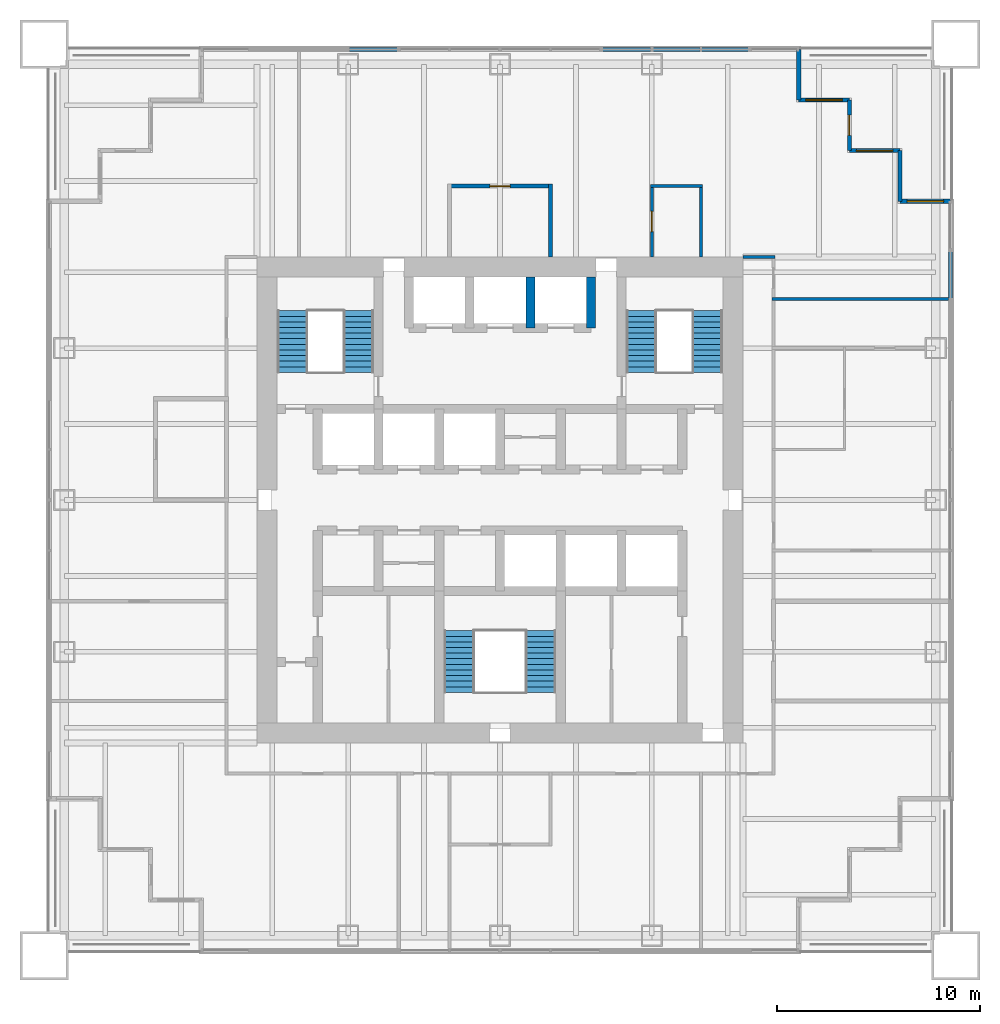
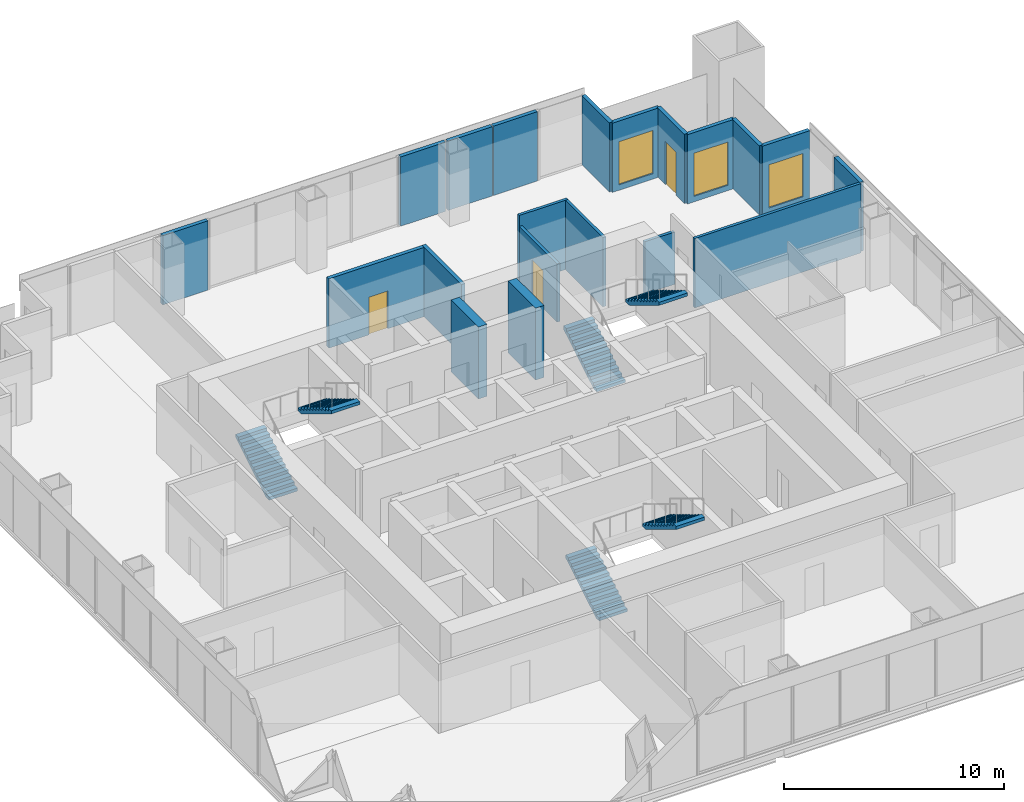
# One storey, part 11 of 13: 20 walls, 6 stair flights, 3 doors, 3 windows, 6 openings, 3 elements without a shape of their own.
"""IFC4 building model written with IfcOpenShell, lengths in metres."""

from ifc_helpers import new_model, si_unit, direction, frame, frame_2d, origin, place, context, subcontext, project, spatial, polyline, rectangle, outline, extrude, material, layer, layer_set, type_object, element, fill, aggregate, save


model = new_model("IFC4")

# Units and contexts
model_context = context("Model", 3, precision=1e-05, world=origin(), true_north=direction((0.0, 1.0)))
body_context = subcontext(model_context, "Body", "Model", "MODEL_VIEW")
ifc_project = project(units=[si_unit("LENGTHUNIT", "METRE"), si_unit("AREAUNIT", "SQUARE_METRE"), si_unit("VOLUMEUNIT", "CUBIC_METRE"), si_unit("PLANEANGLEUNIT", "RADIAN"), si_unit("MASSUNIT", "GRAM", prefix="KILO")], contexts=[model_context])

# Site, building, storey
site_placement = place(None, origin())
site = spatial("IfcSite", under=ifc_project, at=site_placement, CompositionType="ELEMENT")
building_placement = place(site_placement, origin())
building = spatial("IfcBuilding", under=site, at=building_placement, Name="Tarangal Relay Tower", CompositionType="ELEMENT")
storey_placement = place(building_placement, frame((0.0, 0.0, 201.89990234375)))
storey = spatial("IfcBuildingStorey", under=building, at=storey_placement, Name="L42", CompositionType="ELEMENT", Elevation=201.89990234375)

# Wall, opening, door
ifc_material_1 = material(Name="Two layers gypsum board each side on twin steel studs, mineral wool", Category="steel")
ifc_layer_1 = layer(ifc_material_1, 0.199951171875)
ifc_layer_set_1 = layer_set([ifc_layer_1], Name="Acoustic partition 200")
wall_type_1 = type_object("IfcWallType", Name="Acoustic partition 200", PredefinedType="PARTITIONING", material=ifc_layer_set_1)
wall_1_placement = place(storey_placement, frame((-2.60009765625, 15.5, 0.0), z_axis=(0.0, 0.0, 1.0), x_axis=(1.0, 0.0, 0.0)))
wall_1 = element("IfcWall", 1, at=wall_1_placement, inside=storey, type_object=wall_type_1, Name="Partition PT2 L42", PredefinedType="PARTITIONING", context=body_context, shape_type="SweptSolid", body=[
    extrude(rectangle(XDim=5.2001953125, YDim=0.199951171875, at=frame_2d((2.60009765625, 0.0))), origin(), (0.0, 0.0, 1.0), 3.85009765625),
])
opening_1_placement = place(wall_1_placement, frame((2.10009765625, 0.0, 0.0)))
opening_1 = element("IfcOpeningElement", 2, at=opening_1_placement, cuts=wall_1, Name="Opening D2", PredefinedType="OPENING", context=body_context, shape_type="SweptSolid", body=[
    extrude(rectangle(XDim=1.0, YDim=2.10009765625, at=frame_2d((0.5, 1.050048828125))), frame((0.0, 0.10986328125, 0.0), z_axis=(0.0, -1.0, 0.0), x_axis=(1.0, 0.0, 0.0)), (0.0, 0.0, 1.0), 0.219970703125),
])
ifc_material_2 = material(Name="Hardwood door", Category="wood")
door_type_1 = type_object("IfcDoorType", Name="Door 1000 x 2100", OperationType="SINGLE_SWING_LEFT", PredefinedType="DOOR", material=ifc_material_2)
door_1_placement = place(opening_1_placement, origin())
door_1 = element("IfcDoor", 3, at=door_1_placement, inside=storey, type_object=door_type_1, Name="Door D2 to meeting room L42-02", OperationType="SINGLE_SWING_LEFT", OverallHeight=2.10009765625, OverallWidth=1.0, PredefinedType="DOOR", context=body_context, shape_type="SweptSolid", body=[
    extrude(rectangle(XDim=1.0, YDim=2.10009765625, at=frame_2d((0.5, 1.050048828125))), frame((0.0, 0.02490234375, 0.0), z_axis=(0.0, -1.0, 0.0), x_axis=(1.0, 0.0, 0.0)), (0.0, 0.0, 1.0), 0.050048828125),
])
fill(opening_1, door_1)

# Walls
wall_2_placement = place(storey_placement, frame((2.5, 12.0, 0.0), z_axis=(0.0, 0.0, 1.0), x_axis=(0.0, 1.0, 0.0)))
element("IfcWall", 4, at=wall_2_placement, inside=storey, type_object=wall_type_1, Name="Partition PT2 L42", PredefinedType="PARTITIONING", context=body_context, shape_type="SweptSolid", body=[
    extrude(rectangle(XDim=3.60009765625, YDim=0.199951171875, at=frame_2d((1.800048828125, 0.0))), origin(), (0.0, 0.0, 1.0), 3.85009765625),
])
ifc_material_3 = material(Name="Concrete fc' 60 MPa", Category="concrete")
ifc_layer_2 = layer(ifc_material_3, 0.449951171875)
ifc_layer_set_2 = layer_set([ifc_layer_2], Name="Core inner wall 450")
wall_type_2 = type_object("IfcWallType", Name="Core inner wall 450", PredefinedType="SHEAR", material=ifc_layer_set_2)
for number, where, z_axis, x_axis, name in (
    (5, (4.5, 8.5, 0.0), (0.0, 0.0, 1.0), (0.0, 1.0, 0.0), "Core wall X45 L42"),
    (6, (1.5, 8.5, 0.0), (0.0, 0.0, 1.0), (0.0, 1.0, 0.0), "Core wall X15 L42"),
):
    element("IfcWall", number, at=place(storey_placement, frame(where, z_axis=z_axis, x_axis=x_axis)), inside=storey, type_object=wall_type_2, Name=name, PredefinedType="SHEAR", context=body_context, shape_type="SweptSolid", body=[
        extrude(rectangle(XDim=2.5, YDim=0.449951171875, at=frame_2d((1.25, 0.0))), origin(), (0.0, 0.0, 1.0), 4.0),
    ])
ifc_material_4 = material(Name="Black metal clad insulated wall", Category="steel")
ifc_layer_3 = layer(ifc_material_4, 0.199951171875)
ifc_layer_set_3 = layer_set([ifc_layer_3], Name="Corner wall metal clad 200")
wall_type_3 = type_object("IfcWallType", Name="Corner wall metal clad 200", PredefinedType="SOLIDWALL", material=ifc_layer_set_3)
wall_3_placement = place(storey_placement, frame((14.75, 22.25, 0.0), z_axis=(0.0, 0.0, 1.0), x_axis=(0.0, -1.0, 0.0)))
element("IfcWall", 7, at=wall_3_placement, inside=storey, type_object=wall_type_3, Name="Facade wall N facade L42", PredefinedType="SOLIDWALL", context=body_context, shape_type="SweptSolid", body=[
    extrude(rectangle(XDim=2.5, YDim=0.199951171875, at=frame_2d((1.25, 0.0))), origin(), (0.0, 0.0, 1.0), 3.85009765625),
])

# Wall, opening, window
wall_4_placement = place(storey_placement, frame((14.75, 19.75, 0.0), z_axis=(0.0, 0.0, 1.0), x_axis=(1.0, 0.0, 0.0)))
wall_4 = element("IfcWall", 8, at=wall_4_placement, inside=storey, type_object=wall_type_3, Name="Facade wall N facade L42", PredefinedType="SOLIDWALL", context=body_context, shape_type="SweptSolid", body=[
    extrude(rectangle(XDim=2.5, YDim=0.199951171875, at=frame_2d((1.25, 0.0))), origin(), (0.0, 0.0, 1.0), 3.85009765625),
])
opening_2_placement = place(wall_4_placement, frame((0.35009765625, 0.0, 0.300048828125)))
opening_2 = element("IfcOpeningElement", 9, at=opening_2_placement, cuts=wall_4, Name="Opening WN2", PredefinedType="OPENING", context=body_context, shape_type="SweptSolid", body=[
    extrude(rectangle(XDim=1.800048828125, YDim=2.39990234375, at=frame_2d((0.89990234375, 1.199951171875))), frame((0.0, 0.10986328125, 0.0), z_axis=(0.0, -1.0, 0.0), x_axis=(1.0, 0.0, 0.0)), (0.0, 0.0, 1.0), 0.219970703125),
])
ifc_material_5 = material(Name="Dark tinted double glazing in black aluminium frame", Category="aluminium")
window_type = type_object("IfcWindowType", Name="Corner window 1800 x 2400", PartitioningType="SINGLE_PANEL", PredefinedType="WINDOW", material=ifc_material_5)
window_1_placement = place(opening_2_placement, origin())
window_1 = element("IfcWindow", 10, at=window_1_placement, inside=storey, type_object=window_type, Name="Corner window WN2 N facade L42", OverallHeight=2.39990234375, OverallWidth=1.800048828125, PartitioningType="SINGLE_PANEL", PredefinedType="WINDOW", context=body_context, shape_type="SweptSolid", body=[
    extrude(rectangle(XDim=1.800048828125, YDim=2.39990234375, at=frame_2d((0.89990234375, 1.199951171875))), frame((0.0, 0.030029296875, 0.0), z_axis=(0.0, -1.0, 0.0), x_axis=(1.0, 0.0, 0.0)), (0.0, 0.0, 1.0), 0.06005859375),
])
fill(opening_2, window_1)

# Wall, opening, door
wall_5_placement = place(storey_placement, frame((17.25, 19.75, 0.0), z_axis=(0.0, 0.0, 1.0), x_axis=(0.0, -1.0, 0.0)))
wall_5 = element("IfcWall", 11, at=wall_5_placement, inside=storey, type_object=wall_type_3, Name="Facade wall N facade L42", PredefinedType="SOLIDWALL", context=body_context, shape_type="SweptSolid", body=[
    extrude(rectangle(XDim=2.5, YDim=0.199951171875, at=frame_2d((1.25, 0.0))), origin(), (0.0, 0.0, 1.0), 3.85009765625),
])
opening_3_placement = place(wall_5_placement, frame((0.75, 0.0, 0.0)))
opening_3 = element("IfcOpeningElement", 12, at=opening_3_placement, cuts=wall_5, Name="Opening TD1", PredefinedType="OPENING", context=body_context, shape_type="SweptSolid", body=[
    extrude(rectangle(XDim=1.0, YDim=2.39990234375, at=frame_2d((0.5, 1.199951171875))), frame((0.0, 0.10986328125, 0.0), z_axis=(0.0, -1.0, 0.0), x_axis=(1.0, 0.0, 0.0)), (0.0, 0.0, 1.0), 0.219970703125),
])
ifc_material_6 = material(Name="Aluminium glazed door", Category="aluminium")
door_type_2 = type_object("IfcDoorType", Name="Terrace door 1000 x 2400", OperationType="SINGLE_SWING_RIGHT", PredefinedType="DOOR", material=ifc_material_6)
door_2_placement = place(opening_3_placement, origin())
door_2 = element("IfcDoor", 13, at=door_2_placement, inside=storey, type_object=door_type_2, Name="Terrace door TD1 NE L42", OperationType="SINGLE_SWING_RIGHT", OverallHeight=2.39990234375, OverallWidth=1.0, PredefinedType="DOOR", context=body_context, shape_type="SweptSolid", body=[
    extrude(rectangle(XDim=1.0, YDim=2.39990234375, at=frame_2d((0.5, 1.199951171875))), frame((0.0, 0.02490234375, 0.0), z_axis=(0.0, -1.0, 0.0), x_axis=(1.0, 0.0, 0.0)), (0.0, 0.0, 1.0), 0.050048828125),
])
fill(opening_3, door_2)

# Wall, opening, window
wall_6_placement = place(storey_placement, frame((17.25, 17.25, 0.0), z_axis=(0.0, 0.0, 1.0), x_axis=(1.0, 0.0, 0.0)))
wall_6 = element("IfcWall", 14, at=wall_6_placement, inside=storey, type_object=wall_type_3, Name="Facade wall N facade L42", PredefinedType="SOLIDWALL", context=body_context, shape_type="SweptSolid", body=[
    extrude(rectangle(XDim=2.5, YDim=0.199951171875, at=frame_2d((1.25, 0.0))), origin(), (0.0, 0.0, 1.0), 3.85009765625),
])
opening_4_placement = place(wall_6_placement, frame((0.35009765625, 0.0, 0.300048828125)))
opening_4 = element("IfcOpeningElement", 15, at=opening_4_placement, cuts=wall_6, Name="Opening WN2", PredefinedType="OPENING", context=body_context, shape_type="SweptSolid", body=[
    extrude(rectangle(XDim=1.800048828125, YDim=2.39990234375, at=frame_2d((0.89990234375, 1.199951171875))), frame((0.0, 0.10986328125, 0.0), z_axis=(0.0, -1.0, 0.0), x_axis=(1.0, 0.0, 0.0)), (0.0, 0.0, 1.0), 0.219970703125),
])
window_2_placement = place(opening_4_placement, origin())
window_2 = element("IfcWindow", 16, at=window_2_placement, inside=storey, type_object=window_type, Name="Corner window WN2 N facade L42", OverallHeight=2.39990234375, OverallWidth=1.800048828125, PartitioningType="SINGLE_PANEL", PredefinedType="WINDOW", context=body_context, shape_type="SweptSolid", body=[
    extrude(rectangle(XDim=1.800048828125, YDim=2.39990234375, at=frame_2d((0.89990234375, 1.199951171875))), frame((0.0, 0.030029296875, 0.0), z_axis=(0.0, -1.0, 0.0), x_axis=(1.0, 0.0, 0.0)), (0.0, 0.0, 1.0), 0.06005859375),
])
fill(opening_4, window_2)

# Wall
wall_7_placement = place(storey_placement, frame((19.75, 17.25, 0.0), z_axis=(0.0, 0.0, 1.0), x_axis=(0.0, -1.0, 0.0)))
element("IfcWall", 17, at=wall_7_placement, inside=storey, type_object=wall_type_3, Name="Facade wall N facade L42", PredefinedType="SOLIDWALL", context=body_context, shape_type="SweptSolid", body=[
    extrude(rectangle(XDim=2.5, YDim=0.199951171875, at=frame_2d((1.25, 0.0))), origin(), (0.0, 0.0, 1.0), 3.85009765625),
])

# Wall, opening, window
wall_8_placement = place(storey_placement, frame((19.75, 14.75, 0.0), z_axis=(0.0, 0.0, 1.0), x_axis=(1.0, 0.0, 0.0)))
wall_8 = element("IfcWall", 18, at=wall_8_placement, inside=storey, type_object=wall_type_3, Name="Facade wall N facade L42", PredefinedType="SOLIDWALL", context=body_context, shape_type="SweptSolid", body=[
    extrude(rectangle(XDim=2.5, YDim=0.199951171875, at=frame_2d((1.25, 0.0))), origin(), (0.0, 0.0, 1.0), 3.85009765625),
])
opening_5_placement = place(wall_8_placement, frame((0.35009765625, 0.0, 0.300048828125)))
opening_5 = element("IfcOpeningElement", 19, at=opening_5_placement, cuts=wall_8, Name="Opening WN2", PredefinedType="OPENING", context=body_context, shape_type="SweptSolid", body=[
    extrude(rectangle(XDim=1.800048828125, YDim=2.39990234375, at=frame_2d((0.89990234375, 1.199951171875))), frame((0.0, 0.10986328125, 0.0), z_axis=(0.0, -1.0, 0.0), x_axis=(1.0, 0.0, 0.0)), (0.0, 0.0, 1.0), 0.219970703125),
])
window_3_placement = place(opening_5_placement, origin())
window_3 = element("IfcWindow", 20, at=window_3_placement, inside=storey, type_object=window_type, Name="Corner window WN2 N facade L42", OverallHeight=2.39990234375, OverallWidth=1.800048828125, PartitioningType="SINGLE_PANEL", PredefinedType="WINDOW", context=body_context, shape_type="SweptSolid", body=[
    extrude(rectangle(XDim=1.800048828125, YDim=2.39990234375, at=frame_2d((0.89990234375, 1.199951171875))), frame((0.0, 0.030029296875, 0.0), z_axis=(0.0, -1.0, 0.0), x_axis=(1.0, 0.0, 0.0)), (0.0, 0.0, 1.0), 0.06005859375),
])
fill(opening_5, window_3)

# Walls
ifc_layer_4 = layer(ifc_material_4, 0.199951171875)
ifc_layer_set_4 = layer_set([ifc_layer_4], Name="Facade infill wall metal clad 200")
wall_type_4 = type_object("IfcWallType", Name="Facade infill wall metal clad 200", PredefinedType="SOLIDWALL", material=ifc_layer_set_4)
for number, where, z_axis, x_axis, name in (
    (21, (-7.43505859375, 22.25, 0.0), (0.0, 0.0, 1.0), (1.0, 0.0, 0.0), "Facade infill wall N facade L42 1.1"),
    (22, (5.06494140625, 22.25, 0.0), (0.0, 0.0, 1.0), (1.0, 0.0, 0.0), "Facade infill wall N facade L42 1.1"),
):
    element("IfcWall", number, at=place(storey_placement, frame(where, z_axis=z_axis, x_axis=x_axis)), inside=storey, type_object=wall_type_4, Name=name, PredefinedType="SOLIDWALL", context=body_context, shape_type="SweptSolid", body=[
        extrude(rectangle(XDim=2.3701171875, YDim=0.199951171875, at=frame_2d((1.18505859375, 0.0))), origin(), (0.0, 0.0, 1.0), 3.85009765625),
    ])
for number, where, z_axis, x_axis, name in (
    (23, (7.56494140625, 22.25, 0.0), (0.0, 0.0, 1.0), (1.0, 0.0, 0.0), "Facade infill wall N facade L42 1.1"),
    (24, (9.94921875, 22.25, 0.0), (0.0, 0.0, 1.0), (1.0, 0.0, 0.0), "Facade infill wall N facade L42 2.1"),
    (25, (22.25, 12.268310546875, 0.0), (0.0, 0.0, 1.0), (0.0, -1.0, 0.0), "Facade infill wall E facade L42 1.1"),
):
    element("IfcWall", number, at=place(storey_placement, frame(where, z_axis=z_axis, x_axis=x_axis)), inside=storey, type_object=wall_type_4, Name=name, PredefinedType="SOLIDWALL", context=body_context, shape_type="SweptSolid", body=[
        extrude(rectangle(XDim=2.319091796875, YDim=0.199951171875, at=frame_2d((1.15966796875, 0.0))), origin(), (0.0, 0.0, 1.0), 3.85009765625),
    ])
ifc_material_7 = material(Name="Gypsum board on steel studs", Category="steel")
ifc_layer_5 = layer(ifc_material_7, 0.14990234375)
ifc_layer_set_5 = layer_set([ifc_layer_5], Name="Partition 150")
wall_type_5 = type_object("IfcWallType", Name="Partition 150", PredefinedType="PARTITIONING", material=ifc_layer_set_5)
wall_9_placement = place(storey_placement, frame((13.425048828125, 9.9169921875, 0.0), z_axis=(0.0, 0.0, 1.0), x_axis=(1.0, 0.0, 0.0)))
element("IfcWall", 26, at=wall_9_placement, inside=storey, type_object=wall_type_5, Name="Partition PT1 L42", PredefinedType="PARTITIONING", context=body_context, shape_type="SweptSolid", body=[
    extrude(rectangle(XDim=8.724853515625, YDim=0.14990234375, at=frame_2d((4.3623046875, 0.0))), origin(), (0.0, 0.0, 1.0), 3.85009765625),
])
wall_10_placement = place(storey_placement, frame((12.0, 12.0, 0.0), z_axis=(0.0, 0.0, 1.0), x_axis=(1.0, 0.0, 0.0)))
element("IfcWall", 27, at=wall_10_placement, inside=storey, type_object=wall_type_5, Name="Partition PT1 L42", PredefinedType="PARTITIONING", context=body_context, shape_type="SweptSolid", body=[
    extrude(rectangle(XDim=1.574951171875, YDim=0.14990234375, at=frame_2d((0.78759765625, 0.0))), origin(), (0.0, 0.0, 1.0), 2.907958984375),
])
wall_11_placement = place(storey_placement, frame((7.425048828125, 15.5, 0.0), z_axis=(0.0, 0.0, 1.0), x_axis=(1.0, 0.0, 0.0)))
element("IfcWall", 28, at=wall_11_placement, inside=storey, type_object=wall_type_5, Name="Partition PT1 L42", PredefinedType="PARTITIONING", context=body_context, shape_type="SweptSolid", body=[
    extrude(rectangle(XDim=2.56689453125, YDim=0.14990234375, at=frame_2d((1.283447265625, 0.0))), origin(), (0.0, 0.0, 1.0), 3.85009765625),
])

# Wall, opening, door
wall_12_placement = place(storey_placement, frame((7.5, 12.0, 0.0), z_axis=(0.0, 0.0, 1.0), x_axis=(0.0, 1.0, 0.0)))
wall_12 = element("IfcWall", 29, at=wall_12_placement, inside=storey, type_object=wall_type_5, Name="Partition PT1 L42", PredefinedType="PARTITIONING", context=body_context, shape_type="SweptSolid", body=[
    extrude(rectangle(XDim=3.574951171875, YDim=0.14990234375, at=frame_2d((1.78759765625, 0.0))), origin(), (0.0, 0.0, 1.0), 3.238037109375),
])
opening_6_placement = place(wall_12_placement, frame((1.25, 0.0, 0.0)))
opening_6 = element("IfcOpeningElement", 30, at=opening_6_placement, cuts=wall_12, Name="Opening D2", PredefinedType="OPENING", context=body_context, shape_type="SweptSolid", body=[
    extrude(rectangle(XDim=1.0, YDim=2.10009765625, at=frame_2d((0.5, 1.050048828125))), frame((0.0, 0.0849609375, 0.0), z_axis=(0.0, -1.0, 0.0), x_axis=(1.0, 0.0, 0.0)), (0.0, 0.0, 1.0), 0.169921875),
])
door_3_placement = place(opening_6_placement, origin())
door_3 = element("IfcDoor", 31, at=door_3_placement, inside=storey, type_object=door_type_1, Name="Door D2 to tea pantry L42-03", OperationType="SINGLE_SWING_LEFT", OverallHeight=2.10009765625, OverallWidth=1.0, PredefinedType="DOOR", context=body_context, shape_type="SweptSolid", body=[
    extrude(rectangle(XDim=1.0, YDim=2.10009765625, at=frame_2d((0.5, 1.050048828125))), frame((0.0, 0.02490234375, 0.0), z_axis=(0.0, -1.0, 0.0), x_axis=(1.0, 0.0, 0.0)), (0.0, 0.0, 1.0), 0.050048828125),
])
fill(opening_6, door_3)

# Wall
wall_13_placement = place(storey_placement, frame((9.9169921875, 12.0, 0.0), z_axis=(0.0, 0.0, 1.0), x_axis=(0.0, 1.0, 0.0)))
element("IfcWall", 32, at=wall_13_placement, inside=storey, type_object=wall_type_5, Name="Partition PT1 L42", PredefinedType="PARTITIONING", context=body_context, shape_type="SweptSolid", body=[
    extrude(rectangle(XDim=3.574951171875, YDim=0.14990234375, at=frame_2d((1.78759765625, 0.0))), origin(), (0.0, 0.0, 1.0), 3.85009765625),
])

# Stair, stair flights
ifc_material_8 = material(Name="Steel ASTM A992 stair flight", Category="steel")
stair_type = type_object("IfcStairType", Name="Core stair 1500", PredefinedType="HALF_TURN_STAIR", material=ifc_material_8)
stair_1_placement = place(storey_placement, origin())
stair_1 = element("IfcStair", 33, at=stair_1_placement, inside=storey, type_object=stair_type, Name="Stair ST-A L42", PredefinedType="HALF_TURN_STAIR")
stair_flight_type = type_object("IfcStairFlightType", Name="Steel stair flight 1500, 12 risers 167 x 277", PredefinedType="STRAIGHT", material=ifc_material_8)
stair_flight_1_placement = place(storey_placement, frame((-10.25, 6.300048828125, 0.0), z_axis=(0.0, 0.0, 1.0), x_axis=(0.0, 1.0, 0.0)))
stair_flight_1 = element("IfcStairFlight", 34, at=stair_flight_1_placement, type_object=stair_flight_type, Name="ST-A flight 1", NumberOfRisers=12, NumberOfTreads=11, PredefinedType="STRAIGHT", RiserHeight=0.166666667, TreadLength=0.277, context=body_context, shape_type="SweptSolid", body=[
    extrude(outline(polyline([(0.0, 0.0), (0.0, 0.166748046875), (0.277099609375, 0.166748046875), (0.277099609375, 0.333251953125), (0.553955078125, 0.333251953125), (0.553955078125, 0.5), (0.8310546875, 0.5), (0.8310546875, 0.666748046875), (1.10791015625, 0.666748046875), (1.10791015625, 0.833251953125), (1.385009765625, 0.833251953125), (1.385009765625, 1.0), (1.662109375, 1.0), (1.662109375, 1.166748046875), (1.93896484375, 1.166748046875), (1.93896484375, 1.333251953125), (2.216064453125, 1.333251953125), (2.216064453125, 1.5), (2.492919921875, 1.5), (2.492919921875, 1.666748046875), (2.77001953125, 1.666748046875), (2.77001953125, 1.833251953125), (3.047119140625, 1.833251953125), (3.047119140625, 2.0), (3.047119140625, 1.658447265625), (0.290771484375, 0.0), (0.0, 0.0)])), frame((0.0, 0.75, 0.0), z_axis=(0.0, -1.0, 0.0), x_axis=(1.0, 0.0, 0.0)), (0.0, 0.0, 1.0), 1.5),
])
stair_flight_2_placement = place(storey_placement, frame((-6.97509765625, 9.346923828125, 2.0), z_axis=(0.0, 0.0, 1.0), x_axis=(0.0, -1.0, 0.0)))
stair_flight_2 = element("IfcStairFlight", 35, at=stair_flight_2_placement, type_object=stair_flight_type, Name="ST-A flight 2", NumberOfRisers=12, NumberOfTreads=11, PredefinedType="STRAIGHT", RiserHeight=0.166666667, TreadLength=0.277, context=body_context, shape_type="SweptSolid", body=[
    extrude(outline(polyline([(0.0, 0.0), (0.0, 0.166748046875), (0.277099609375, 0.166748046875), (0.277099609375, 0.333251953125), (0.553955078125, 0.333251953125), (0.553955078125, 0.5), (0.8310546875, 0.5), (0.8310546875, 0.666748046875), (1.10791015625, 0.666748046875), (1.10791015625, 0.833251953125), (1.385009765625, 0.833251953125), (1.385009765625, 1.0), (1.662109375, 1.0), (1.662109375, 1.166748046875), (1.93896484375, 1.166748046875), (1.93896484375, 1.333251953125), (2.216064453125, 1.333251953125), (2.216064453125, 1.5), (2.492919921875, 1.5), (2.492919921875, 1.666748046875), (2.77001953125, 1.666748046875), (2.77001953125, 1.833251953125), (3.047119140625, 1.833251953125), (3.047119140625, 2.0), (3.047119140625, 1.658447265625), (0.290771484375, 0.0), (0.0, 0.0)])), frame((0.0, 0.75, 0.0), z_axis=(0.0, -1.0, 0.0), x_axis=(1.0, 0.0, 0.0)), (0.0, 0.0, 1.0), 1.5),
])
aggregate(stair_1, [stair_flight_1, stair_flight_2])

stair_2_placement = place(storey_placement, origin())
stair_2 = element("IfcStair", 36, at=stair_2_placement, inside=storey, type_object=stair_type, Name="Stair ST-B L42", PredefinedType="HALF_TURN_STAIR")
stair_flight_3_placement = place(storey_placement, frame((6.97509765625, 6.300048828125, 0.0), z_axis=(0.0, 0.0, 1.0), x_axis=(0.0, 1.0, 0.0)))
stair_flight_3 = element("IfcStairFlight", 37, at=stair_flight_3_placement, type_object=stair_flight_type, Name="ST-B flight 1", NumberOfRisers=12, NumberOfTreads=11, PredefinedType="STRAIGHT", RiserHeight=0.166666667, TreadLength=0.277, context=body_context, shape_type="SweptSolid", body=[
    extrude(outline(polyline([(0.0, 0.0), (0.0, 0.166748046875), (0.277099609375, 0.166748046875), (0.277099609375, 0.333251953125), (0.553955078125, 0.333251953125), (0.553955078125, 0.5), (0.8310546875, 0.5), (0.8310546875, 0.666748046875), (1.10791015625, 0.666748046875), (1.10791015625, 0.833251953125), (1.385009765625, 0.833251953125), (1.385009765625, 1.0), (1.662109375, 1.0), (1.662109375, 1.166748046875), (1.93896484375, 1.166748046875), (1.93896484375, 1.333251953125), (2.216064453125, 1.333251953125), (2.216064453125, 1.5), (2.492919921875, 1.5), (2.492919921875, 1.666748046875), (2.77001953125, 1.666748046875), (2.77001953125, 1.833251953125), (3.047119140625, 1.833251953125), (3.047119140625, 2.0), (3.047119140625, 1.658447265625), (0.290771484375, 0.0), (0.0, 0.0)])), frame((0.0, 0.75, 0.0), z_axis=(0.0, -1.0, 0.0), x_axis=(1.0, 0.0, 0.0)), (0.0, 0.0, 1.0), 1.5),
])
stair_flight_4_placement = place(storey_placement, frame((10.25, 9.346923828125, 2.0), z_axis=(0.0, 0.0, 1.0), x_axis=(0.0, -1.0, 0.0)))
stair_flight_4 = element("IfcStairFlight", 38, at=stair_flight_4_placement, type_object=stair_flight_type, Name="ST-B flight 2", NumberOfRisers=12, NumberOfTreads=11, PredefinedType="STRAIGHT", RiserHeight=0.166666667, TreadLength=0.277, context=body_context, shape_type="SweptSolid", body=[
    extrude(outline(polyline([(0.0, 0.0), (0.0, 0.166748046875), (0.277099609375, 0.166748046875), (0.277099609375, 0.333251953125), (0.553955078125, 0.333251953125), (0.553955078125, 0.5), (0.8310546875, 0.5), (0.8310546875, 0.666748046875), (1.10791015625, 0.666748046875), (1.10791015625, 0.833251953125), (1.385009765625, 0.833251953125), (1.385009765625, 1.0), (1.662109375, 1.0), (1.662109375, 1.166748046875), (1.93896484375, 1.166748046875), (1.93896484375, 1.333251953125), (2.216064453125, 1.333251953125), (2.216064453125, 1.5), (2.492919921875, 1.5), (2.492919921875, 1.666748046875), (2.77001953125, 1.666748046875), (2.77001953125, 1.833251953125), (3.047119140625, 1.833251953125), (3.047119140625, 2.0), (3.047119140625, 1.658447265625), (0.290771484375, 0.0), (0.0, 0.0)])), frame((0.0, 0.75, 0.0), z_axis=(0.0, -1.0, 0.0), x_axis=(1.0, 0.0, 0.0)), (0.0, 0.0, 1.0), 1.5),
])
aggregate(stair_2, [stair_flight_3, stair_flight_4])

stair_3_placement = place(storey_placement, origin())
stair_3 = element("IfcStair", 39, at=stair_3_placement, inside=storey, type_object=stair_type, Name="Stair ST-C L42", PredefinedType="HALF_TURN_STAIR")
stair_flight_5_placement = place(storey_placement, frame((-2.02490234375, -9.5, 0.0), z_axis=(0.0, 0.0, 1.0), x_axis=(0.0, 1.0, 0.0)))
stair_flight_5 = element("IfcStairFlight", 40, at=stair_flight_5_placement, type_object=stair_flight_type, Name="ST-C flight 1", NumberOfRisers=12, NumberOfTreads=11, PredefinedType="STRAIGHT", RiserHeight=0.166666667, TreadLength=0.277, context=body_context, shape_type="SweptSolid", body=[
    extrude(outline(polyline([(0.0, 0.0), (0.0, 0.166748046875), (0.277099609375, 0.166748046875), (0.277099609375, 0.333251953125), (0.553955078125, 0.333251953125), (0.553955078125, 0.5), (0.8310546875, 0.5), (0.8310546875, 0.666748046875), (1.10791015625, 0.666748046875), (1.10791015625, 0.833251953125), (1.385009765625, 0.833251953125), (1.385009765625, 1.0), (1.662109375, 1.0), (1.662109375, 1.166748046875), (1.93896484375, 1.166748046875), (1.93896484375, 1.333251953125), (2.216064453125, 1.333251953125), (2.216064453125, 1.5), (2.492919921875, 1.5), (2.492919921875, 1.666748046875), (2.77001953125, 1.666748046875), (2.77001953125, 1.833251953125), (3.047119140625, 1.833251953125), (3.047119140625, 2.0), (3.047119140625, 1.658447265625), (0.290771484375, 0.0), (0.0, 0.0)])), frame((0.0, 0.75, 0.0), z_axis=(0.0, -1.0, 0.0), x_axis=(1.0, 0.0, 0.0)), (0.0, 0.0, 1.0), 1.5),
])
stair_flight_6_placement = place(storey_placement, frame((2.02490234375, -6.452880859375, 2.0), z_axis=(0.0, 0.0, 1.0), x_axis=(0.0, -1.0, 0.0)))
stair_flight_6 = element("IfcStairFlight", 41, at=stair_flight_6_placement, type_object=stair_flight_type, Name="ST-C flight 2", NumberOfRisers=12, NumberOfTreads=11, PredefinedType="STRAIGHT", RiserHeight=0.166666667, TreadLength=0.277, context=body_context, shape_type="SweptSolid", body=[
    extrude(outline(polyline([(0.0, 0.0), (0.0, 0.166748046875), (0.277099609375, 0.166748046875), (0.277099609375, 0.333251953125), (0.553955078125, 0.333251953125), (0.553955078125, 0.5), (0.8310546875, 0.5), (0.8310546875, 0.666748046875), (1.10791015625, 0.666748046875), (1.10791015625, 0.833251953125), (1.385009765625, 0.833251953125), (1.385009765625, 1.0), (1.662109375, 1.0), (1.662109375, 1.166748046875), (1.93896484375, 1.166748046875), (1.93896484375, 1.333251953125), (2.216064453125, 1.333251953125), (2.216064453125, 1.5), (2.492919921875, 1.5), (2.492919921875, 1.666748046875), (2.77001953125, 1.666748046875), (2.77001953125, 1.833251953125), (3.047119140625, 1.833251953125), (3.047119140625, 2.0), (3.047119140625, 1.658447265625), (0.290771484375, 0.0), (0.0, 0.0)])), frame((0.0, 0.75, 0.0), z_axis=(0.0, -1.0, 0.0), x_axis=(1.0, 0.0, 0.0)), (0.0, 0.0, 1.0), 1.5),
])
aggregate(stair_3, [stair_flight_5, stair_flight_6])

save(model, "model.ifc")
